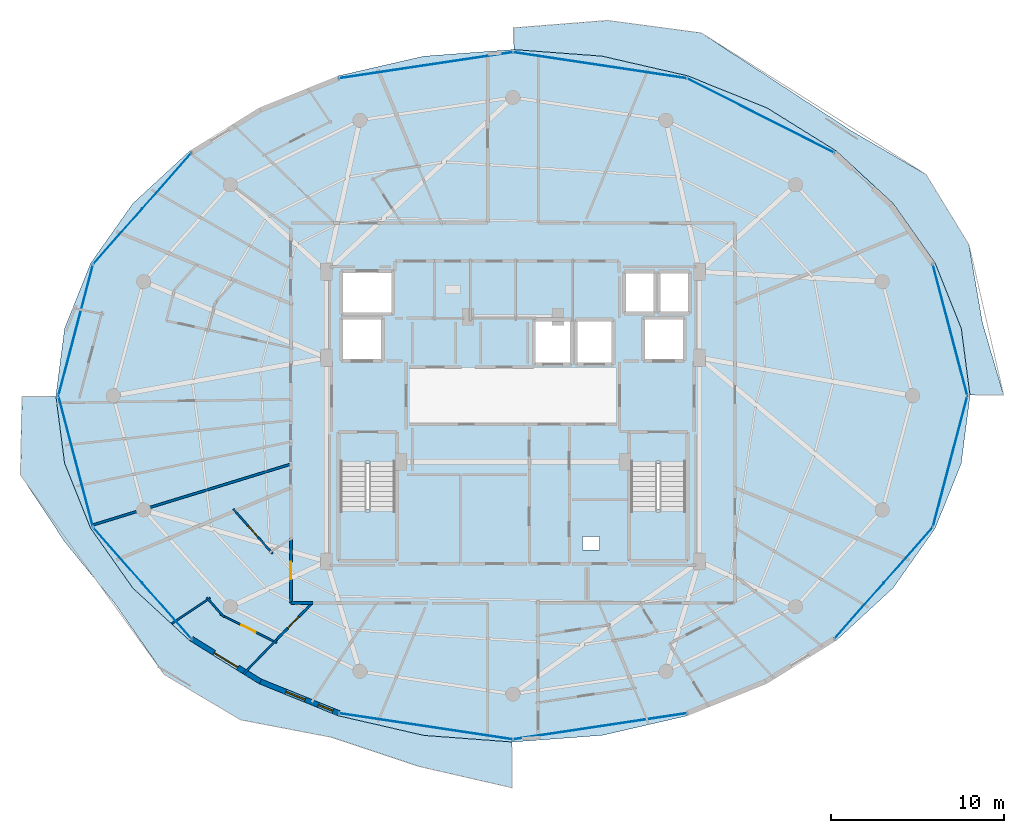
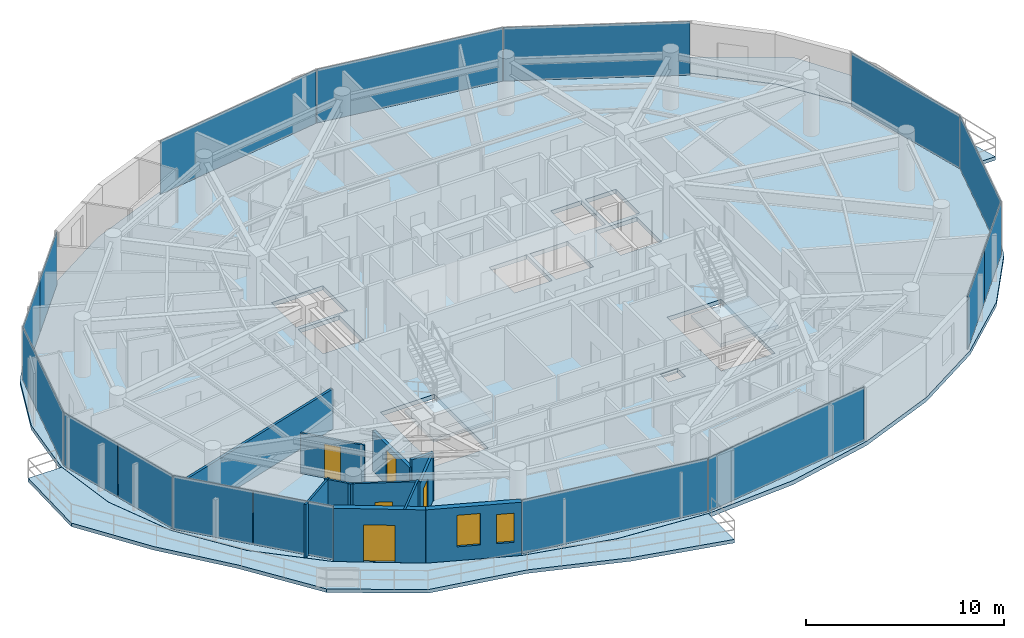
# One storey, part 22 of 31: 16 plates, 11 walls, 5 doors, 5 slabs, 2 windows, 7 openings, 6 elements without a shape of their own.
"""IFC4 building model written with IfcOpenShell, lengths in metres."""

import ifcopenshell
import ifcopenshell.guid

model = None  # the IFC model being written
_history = None  # IfcOwnerHistory: only IFC2X3 demands one
_inside = {}  # id of a spatial element -> (the spatial element, [elements in it])
_under = {}  # id of a project, library or spatial element -> (it, [spatial elements below it])
_declared = {}  # id of a project -> (the project, [libraries it declares])
_typed = {}  # id of a type object -> (the type object, [elements of that type])
_made_of = {}  # id of a material, layer set ... -> (it, [elements and type objects made of it])


def new_model(schema):
    """Start an empty IFC model of exactly this schema.

    Asked for "IFC4X3", IfcOpenShell would pick the latest addendum, in which some entities
    have other attributes; the version numbers below select the first issue.
    IFC2X3 requires an IfcOwnerHistory on every rooted entity: one is made here for all.
    """
    global model, _history
    if schema == "IFC4X3":
        model = ifcopenshell.file(schema_version=(4, 3, 0, 0))
    else:
        model = ifcopenshell.file(schema=schema)
    _inside.clear()
    _under.clear()
    _declared.clear()
    _typed.clear()
    _made_of.clear()
    _history = None
    if model.schema == "IFC2X3":
        org = make("IfcOrganization", Name="unknown")
        user = make(
            "IfcPersonAndOrganization",
            ThePerson=make("IfcPerson", FamilyName="unknown"),
            TheOrganization=org,
        )
        app = make(
            "IfcApplication",
            ApplicationDeveloper=org,
            Version="unknown",
            ApplicationFullName="unknown",
            ApplicationIdentifier="unknown",
        )
        _history = make(
            "IfcOwnerHistory",
            OwningUser=user,
            OwningApplication=app,
            ChangeAction="ADDED",
            CreationDate=0,
        )
    return model


def make(cls, **values):
    """One entity of the class cls with the attributes given. An attribute that is None is left unset."""
    return model.create_entity(
        cls, **{name: value for name, value in values.items() if value is not None}
    )


def rooted(cls, **values):
    """An entity with a GlobalId (a new one), such as an element, a storey or a relation."""
    return make(cls, GlobalId=ifcopenshell.guid.new(), OwnerHistory=_history, **values)


def si_unit(unit_type, name, prefix=None):
    """IfcSIUnit, for example si_unit("LENGTHUNIT", "METRE", prefix="MILLI")."""
    return make("IfcSIUnit", UnitType=unit_type, Prefix=prefix, Name=name)


def assignment(units):
    """IfcUnitAssignment: the units of a project."""
    return None if units is None else make("IfcUnitAssignment", Units=units)


def point(xyz):
    """IfcCartesianPoint."""
    return None if xyz is None else make("IfcCartesianPoint", Coordinates=xyz)


def direction(xyz):
    """IfcDirection."""
    return None if xyz is None else make("IfcDirection", DirectionRatios=xyz)


def frame(location, z_axis=None, x_axis=None):
    """IfcAxis2Placement3D, a coordinate frame: its origin and axes. An axis left out is left unset."""
    return make(
        "IfcAxis2Placement3D",
        Location=point(location),
        Axis=direction(z_axis),
        RefDirection=direction(x_axis),
    )


def frame_2d(location, x_axis=None):
    """IfcAxis2Placement2D, a coordinate frame in the plane: its origin and x axis."""
    return make(
        "IfcAxis2Placement2D", Location=point(location), RefDirection=direction(x_axis)
    )


def origin():
    """The frame at (0, 0, 0) with its axes left unset."""
    return frame((0.0, 0.0, 0.0))


def origin_2d():
    """The frame at (0, 0) in the plane with its x axis left unset."""
    return frame_2d((0.0, 0.0))


def place(relative_to, where):
    """IfcLocalPlacement: puts the frame where relative to a parent placement (None: the world)."""
    return make(
        "IfcLocalPlacement", PlacementRelTo=relative_to, RelativePlacement=where
    )


def context(
    kind, dimensions, precision=None, world=None, true_north=None, identifier=None
):
    """IfcGeometricRepresentationContext, for example the 3D "Model" context."""
    return make(
        "IfcGeometricRepresentationContext",
        ContextIdentifier=identifier,
        ContextType=kind,
        CoordinateSpaceDimension=dimensions,
        Precision=precision,
        WorldCoordinateSystem=world,
        TrueNorth=true_north,
    )


def subcontext(parent, identifier, kind, view, scale=None):
    """IfcGeometricRepresentationSubContext, for example "Body" below "Model"."""
    return make(
        "IfcGeometricRepresentationSubContext",
        ContextIdentifier=identifier,
        ContextType=kind,
        ParentContext=parent,
        TargetScale=scale,
        TargetView=view,
    )


def project(units=None, contexts=None):
    """IfcProject with its units and contexts."""
    return rooted(
        "IfcProject",
        Name="project",
        RepresentationContexts=contexts,
        UnitsInContext=assignment(units),
    )


def spatial(cls, under=None, at=None, **own):
    """A site, building, storey or space (cls), placed at a placement, below another one or the project."""
    s = rooted(cls, ObjectPlacement=at, **own)
    if under is not None:
        _under.setdefault(under.id(), (under, []))[1].append(s)
    return s


def polyline(points):
    """IfcPolyline through the points."""
    return make("IfcPolyline", Points=[point(p) for p in points])


def profile(cls, at=None, kind="AREA", **sizes):
    """A parametric profile (cls). Its sizes go by their IFC names, for example OverallWidth=200.0."""
    return make(cls, ProfileType=kind, Position=at, **sizes)


def rectangle(**sizes):
    """IfcRectangleProfileDef."""
    return profile("IfcRectangleProfileDef", **sizes)


def outline(outer, holes=None, kind="AREA"):
    """IfcArbitraryClosedProfileDef: a profile drawn as a closed curve; with holes, ...WithVoids."""
    if holes is None:
        return make("IfcArbitraryClosedProfileDef", ProfileType=kind, OuterCurve=outer)
    return make(
        "IfcArbitraryProfileDefWithVoids",
        ProfileType=kind,
        OuterCurve=outer,
        InnerCurves=holes,
    )


def extrude(swept, where, along, depth):
    """IfcExtrudedAreaSolid: the profile swept, set in the frame where, extruded along a direction by depth."""
    return make(
        "IfcExtrudedAreaSolid",
        SweptArea=swept,
        Position=where,
        ExtrudedDirection=direction(along),
        Depth=depth,
    )


def shape(context_of_items, identifier, shape_type, items):
    """IfcShapeRepresentation: the items that make up one representation, for example the "Body"."""
    return make(
        "IfcShapeRepresentation",
        ContextOfItems=context_of_items,
        RepresentationIdentifier=identifier,
        RepresentationType=shape_type,
        Items=items,
    )


def material(Name=None, Category=None):
    """IfcMaterial."""
    return make("IfcMaterial", Name=Name, Category=Category)


def layer(
    of_material, thickness, ventilated=None, Name=None, Category=None, Priority=None
):
    """IfcMaterialLayer: one layer of a wall or slab, of a material (None: an air gap)."""
    return make(
        "IfcMaterialLayer",
        Material=of_material,
        LayerThickness=thickness,
        IsVentilated=ventilated,
        Name=Name,
        Category=Category,
        Priority=Priority,
    )


def layer_set(layers, Name=None):
    """IfcMaterialLayerSet."""
    return make("IfcMaterialLayerSet", MaterialLayers=layers, LayerSetName=Name)


def made_of(thing, what):
    """Note that an element or type object is made of a material, layer set ...; save() writes the relation."""
    if what is not None:
        _made_of.setdefault(what.id(), (what, []))[1].append(thing)
    return thing


def type_object(cls, material=None, **own):
    """A type object (cls), such as IfcWallType, which elements share."""
    return made_of(rooted(cls, **own), material)


def element(
    cls,
    number,
    at=None,
    inside=None,
    cuts=None,
    type_object=None,
    material=None,
    context=None,
    identifier="Body",
    shape_type=None,
    held_by="IfcProductDefinitionShape",
    body=None,
    shapes=None,
    **own,
):
    """One element of the class cls, such as IfcWall. Its Tag is "e" and its number.

    at: its placement. inside: the storey or other place that contains it. cuts: it is an
    opening in that element (IfcRelVoidsElement). A single representation is given by context,
    identifier, shape_type and body (its items); several are given by shapes. held_by: the class
    of the entity that holds the representations. save() writes the other relations.
    """
    e = rooted(cls, Tag="e%d" % number, ObjectPlacement=at, **own)
    if body is not None:
        shapes = [shape(context, identifier, shape_type, body)]
    if shapes is not None:
        e.Representation = make(held_by, Representations=shapes)
    if inside is not None:
        _inside.setdefault(inside.id(), (inside, []))[1].append(e)
    if cuts is not None:
        rooted(
            "IfcRelVoidsElement", RelatingBuildingElement=cuts, RelatedOpeningElement=e
        )
    if type_object is not None:
        _typed.setdefault(type_object.id(), (type_object, []))[1].append(e)
    return made_of(e, material)


def fill(opening, filler):
    """IfcRelFillsElement: the door or window that sits in an opening."""
    return rooted(
        "IfcRelFillsElement",
        RelatingOpeningElement=opening,
        RelatedBuildingElement=filler,
    )


def aggregate(whole, parts):
    """IfcRelAggregates: a whole, such as a stair, and the parts it consists of."""
    return rooted("IfcRelAggregates", RelatingObject=whole, RelatedObjects=parts)


def save(model, path):
    """Write the relations noted so far, then the file.

    IfcRelAggregates (storeys below a building ...), IfcRelContainedInSpatialStructure (elements
    in a storey), IfcRelDefinesByType, IfcRelAssociatesMaterial and IfcRelDeclares: one each for
    every whole, place, type object, material and project.
    """
    for whole, parts in _under.values():
        aggregate(whole, parts)
    for where, things in _inside.values():
        rooted(
            "IfcRelContainedInSpatialStructure",
            RelatedElements=things,
            RelatingStructure=where,
        )
    for kind, things in _typed.values():
        rooted("IfcRelDefinesByType", RelatedObjects=things, RelatingType=kind)
    for what, things in _made_of.values():
        rooted("IfcRelAssociatesMaterial", RelatedObjects=things, RelatingMaterial=what)
    for by, libraries in _declared.values():
        rooted("IfcRelDeclares", RelatingContext=by, RelatedDefinitions=libraries)
    model.write(path)


model = new_model("IFC4")

# Units and contexts
model_context = context("Model", 3, precision=1e-05, world=origin(), true_north=direction((0.0, 1.0)))
body_context = subcontext(model_context, "Body", "Model", "MODEL_VIEW")
ifc_project = project(units=[si_unit("LENGTHUNIT", "METRE"), si_unit("AREAUNIT", "SQUARE_METRE"), si_unit("VOLUMEUNIT", "CUBIC_METRE"), si_unit("PLANEANGLEUNIT", "RADIAN"), si_unit("MASSUNIT", "GRAM", prefix="KILO")], contexts=[model_context])

# Site, building, storey
site_placement = place(None, origin())
site = spatial("IfcSite", under=ifc_project, at=site_placement, CompositionType="ELEMENT")
building_placement = place(site_placement, origin())
building = spatial("IfcBuilding", under=site, at=building_placement, Name="Vorneva Point Tower", CompositionType="ELEMENT")
storey_placement = place(building_placement, frame((0.0, 0.0, 244.89990234375)))
storey = spatial("IfcBuildingStorey", under=building, at=storey_placement, Name="L66", CompositionType="ELEMENT", Elevation=244.89990234375)

# Curtain wall, plates
ifc_material_1 = material(Name="Pale anodised aluminium", Category="aluminium")
curtain_wall_type = type_object("IfcCurtainWallType", Name="CW-RES-SYS", PredefinedType="NOTDEFINED", material=ifc_material_1)
curtain_wall_1_placement = place(storey_placement, origin())
curtain_wall_1 = element("IfcCurtainWall", 1, at=curtain_wall_1_placement, inside=storey, type_object=curtain_wall_type, Name="L66 Unitised Curtain Wall CW-L66-R01", PredefinedType="NOTDEFINED")
ifc_material_2 = material(Name="Double low-e laminated glass IGU", Category="glass")
ifc_layer_1 = layer(ifc_material_2, 0.035888671875)
ifc_layer_set_1 = layer_set([ifc_layer_1], Name="Double low-e laminated glass IGU")
plate_type = type_object("IfcPlateType", Name="CW-PNL-VIS", PredefinedType="CURTAIN_PANEL", material=ifc_layer_set_1)
plate_1_placement = place(storey_placement, frame((57.946044921875, 13.598876953125, -0.02001953125), z_axis=(0.0, 0.0, 1.0), x_axis=(0.662188570806, 0.749337238294, 0.0)))
plate_1 = element("IfcPlate", 2, at=plate_1_placement, type_object=plate_type, Name="CW-L66-R01 Glazed Panel 01A", PredefinedType="CURTAIN_PANEL", context=body_context, shape_type="SweptSolid", body=[
    extrude(rectangle(XDim=4.23828125, YDim=0.035888671875, at=origin_2d()), origin(), (0.0, 0.0, 1.0), 3.330078125),
])
plate_2_placement = place(storey_placement, frame((60.785888671875, 16.812255859375, -0.02001953125), z_axis=(0.0, 0.0, 1.0), x_axis=(0.662188570806, 0.749337238294, 0.0)))
plate_2 = element("IfcPlate", 3, at=plate_2_placement, type_object=plate_type, Name="CW-L66-R01 Glazed Panel 01B", PredefinedType="CURTAIN_PANEL", context=body_context, shape_type="SweptSolid", body=[
    extrude(rectangle(XDim=4.23828125, YDim=0.035888671875, at=origin_2d()), origin(), (0.0, 0.0, 1.0), 3.330078125),
])
plate_3_placement = place(storey_placement, frame((63.202880859375, 22.20947265625, -0.02001953125), z_axis=(0.0, 0.0, 1.0), x_axis=(0.254416284022, 0.967094801157, 0.0)))
plate_3 = element("IfcPlate", 4, at=plate_3_placement, type_object=plate_type, Name="CW-L66-R01 Glazed Panel 02", PredefinedType="CURTAIN_PANEL", context=body_context, shape_type="SweptSolid", body=[
    extrude(rectangle(XDim=7.7890625, YDim=0.035888671875, at=origin_2d()), origin(), (0.0, 0.0, 1.0), 3.330078125),
])
plate_4_placement = place(storey_placement, frame((63.202880859375, 29.79052734375, -0.02001953125), z_axis=(0.0, 0.0, 1.0), x_axis=(-0.254416284022, 0.967094801157, 0.0)))
plate_4 = element("IfcPlate", 5, at=plate_4_placement, type_object=plate_type, Name="CW-L66-R01 Glazed Panel 03", PredefinedType="CURTAIN_PANEL", context=body_context, shape_type="SweptSolid", body=[
    extrude(rectangle(XDim=7.7890625, YDim=0.035888671875, at=origin_2d()), origin(), (0.0, 0.0, 1.0), 3.330078125),
])
aggregate(curtain_wall_1, [plate_1, plate_2, plate_3, plate_4])

curtain_wall_2_placement = place(storey_placement, origin())
curtain_wall_2 = element("IfcCurtainWall", 6, at=curtain_wall_2_placement, inside=storey, type_object=curtain_wall_type, Name="L66 Unitised Curtain Wall CW-L66-R02", PredefinedType="NOTDEFINED")
plate_5_placement = place(storey_placement, frame((52.2763671875, 42.15478515625, -0.02001953125), z_axis=(0.0, 0.0, 1.0), x_axis=(-0.892554339087, 0.450939853836, 0.0)))
plate_5 = element("IfcPlate", 7, at=plate_5_placement, type_object=plate_type, Name="CW-L66-R02 Glazed Panel 01", PredefinedType="CURTAIN_PANEL", context=body_context, shape_type="SweptSolid", body=[
    extrude(rectangle(XDim=9.47314453125, YDim=0.035888671875, at=origin_2d()), origin(), (0.0, 0.0, 1.0), 3.330078125),
])
plate_6_placement = place(storey_placement, frame((43.01318359375, 45.055908203125, -0.02001953125), z_axis=(0.0, 0.0, 1.0), x_axis=(-0.988878712919, 0.148724211669, 0.0)))
plate_6 = element("IfcPlate", 8, at=plate_6_placement, type_object=plate_type, Name="CW-L66-R02 Glazed Panel 02", PredefinedType="CURTAIN_PANEL", context=body_context, shape_type="SweptSolid", body=[
    extrude(rectangle(XDim=10.089111328125, YDim=0.035888671875, at=origin_2d()), origin(), (0.0, 0.0, 1.0), 3.330078125),
])
plate_7_placement = place(storey_placement, frame((32.98681640625, 45.055908203125, -0.02001953125), z_axis=(0.0, 0.0, 1.0), x_axis=(-0.988878712919, -0.148724211669, 0.0)))
plate_7 = element("IfcPlate", 9, at=plate_7_placement, type_object=plate_type, Name="CW-L66-R02 Glazed Panel 03", PredefinedType="CURTAIN_PANEL", context=body_context, shape_type="SweptSolid", body=[
    extrude(rectangle(XDim=10.089111328125, YDim=0.035888671875, at=origin_2d()), origin(), (0.0, 0.0, 1.0), 3.330078125),
])
aggregate(curtain_wall_2, [plate_5, plate_6, plate_7])

curtain_wall_3_placement = place(storey_placement, origin())
curtain_wall_3 = element("IfcCurtainWall", 10, at=curtain_wall_3_placement, inside=storey, type_object=curtain_wall_type, Name="L66 Unitised Curtain Wall CW-L66-R03", PredefinedType="NOTDEFINED")
plate_8_placement = place(storey_placement, frame((18.053955078125, 38.401123046875, -0.02001953125), z_axis=(0.0, 0.0, 1.0), x_axis=(-0.662188570806, -0.749337238294, 0.0)))
plate_8 = element("IfcPlate", 11, at=plate_8_placement, type_object=plate_type, Name="CW-L66-R03 Glazed Panel 01A", PredefinedType="CURTAIN_PANEL", context=body_context, shape_type="SweptSolid", body=[
    extrude(rectangle(XDim=4.23828125, YDim=0.035888671875, at=origin_2d()), origin(), (0.0, 0.0, 1.0), 3.330078125),
])
plate_9_placement = place(storey_placement, frame((15.214111328125, 35.187744140625, -0.02001953125), z_axis=(0.0, 0.0, 1.0), x_axis=(-0.662188570806, -0.749337238294, 0.0)))
plate_9 = element("IfcPlate", 12, at=plate_9_placement, type_object=plate_type, Name="CW-L66-R03 Glazed Panel 01B", PredefinedType="CURTAIN_PANEL", context=body_context, shape_type="SweptSolid", body=[
    extrude(rectangle(XDim=4.23828125, YDim=0.035888671875, at=origin_2d()), origin(), (0.0, 0.0, 1.0), 3.330078125),
])
plate_10_placement = place(storey_placement, frame((12.797119140625, 29.79052734375, -0.02001953125), z_axis=(0.0, 0.0, 1.0), x_axis=(-0.254416284022, -0.967094801157, 0.0)))
plate_10 = element("IfcPlate", 13, at=plate_10_placement, type_object=plate_type, Name="CW-L66-R03 Glazed Panel 02", PredefinedType="CURTAIN_PANEL", context=body_context, shape_type="SweptSolid", body=[
    extrude(rectangle(XDim=7.7890625, YDim=0.035888671875, at=origin_2d()), origin(), (0.0, 0.0, 1.0), 3.330078125),
])
plate_11_placement = place(storey_placement, frame((12.298583984375, 24.104736328125, -0.02001953125), z_axis=(0.0, 0.0, 1.0), x_axis=(0.254416284022, -0.967094801157, 0.0)))
plate_11 = element("IfcPlate", 14, at=plate_11_placement, type_object=plate_type, Name="CW-L66-R03 Glazed Panel 03A", PredefinedType="CURTAIN_PANEL", context=body_context, shape_type="SweptSolid", body=[
    extrude(rectangle(XDim=3.869384765625, YDim=0.035888671875, at=origin_2d()), origin(), (0.0, 0.0, 1.0), 3.330078125),
])
plate_12_placement = place(storey_placement, frame((13.2958984375, 20.314208984375, -0.02001953125), z_axis=(0.0, 0.0, 1.0), x_axis=(0.254416284022, -0.967094801157, 0.0)))
plate_12 = element("IfcPlate", 15, at=plate_12_placement, type_object=plate_type, Name="CW-L66-R03 Glazed Panel 03B", PredefinedType="CURTAIN_PANEL", context=body_context, shape_type="SweptSolid", body=[
    extrude(rectangle(XDim=3.869384765625, YDim=0.035888671875, at=origin_2d()), origin(), (0.0, 0.0, 1.0), 3.330078125),
])
plate_13_placement = place(storey_placement, frame((15.214111328125, 16.812255859375, -0.02001953125), z_axis=(0.0, 0.0, 1.0), x_axis=(0.662188570806, -0.749337238294, 0.0)))
plate_13 = element("IfcPlate", 16, at=plate_13_placement, type_object=plate_type, Name="CW-L66-R03 Glazed Panel 04A", PredefinedType="CURTAIN_PANEL", context=body_context, shape_type="SweptSolid", body=[
    extrude(rectangle(XDim=4.23828125, YDim=0.035888671875, at=origin_2d()), origin(), (0.0, 0.0, 1.0), 3.330078125),
])
plate_14_placement = place(storey_placement, frame((18.053955078125, 13.598876953125, -0.02001953125), z_axis=(0.0, 0.0, 1.0), x_axis=(0.662188570806, -0.749337238294, 0.0)))
plate_14 = element("IfcPlate", 17, at=plate_14_placement, type_object=plate_type, Name="CW-L66-R03 Glazed Panel 04B", PredefinedType="CURTAIN_PANEL", context=body_context, shape_type="SweptSolid", body=[
    extrude(rectangle(XDim=4.23828125, YDim=0.035888671875, at=origin_2d()), origin(), (0.0, 0.0, 1.0), 3.330078125),
])
aggregate(curtain_wall_3, [plate_8, plate_9, plate_10, plate_11, plate_12, plate_13, plate_14])

curtain_wall_4_placement = place(storey_placement, origin())
curtain_wall_4 = element("IfcCurtainWall", 18, at=curtain_wall_4_placement, inside=storey, type_object=curtain_wall_type, Name="L66 Unitised Curtain Wall CW-L66-R04", PredefinedType="NOTDEFINED")
plate_15_placement = place(storey_placement, frame((32.98681640625, 6.944091796875, -0.02001953125), z_axis=(0.0, 0.0, 1.0), x_axis=(0.988878712919, -0.148724211669, 0.0)))
plate_15 = element("IfcPlate", 19, at=plate_15_placement, type_object=plate_type, Name="CW-L66-R04 Glazed Panel 01", PredefinedType="CURTAIN_PANEL", context=body_context, shape_type="SweptSolid", body=[
    extrude(rectangle(XDim=10.089111328125, YDim=0.035888671875, at=origin_2d()), origin(), (0.0, 0.0, 1.0), 3.330078125),
])
plate_16_placement = place(storey_placement, frame((43.01318359375, 6.944091796875, -0.02001953125), z_axis=(0.0, 0.0, 1.0), x_axis=(0.988878712919, 0.148724211669, 0.0)))
plate_16 = element("IfcPlate", 20, at=plate_16_placement, type_object=plate_type, Name="CW-L66-R04 Glazed Panel 02", PredefinedType="CURTAIN_PANEL", context=body_context, shape_type="SweptSolid", body=[
    extrude(rectangle(XDim=10.089111328125, YDim=0.035888671875, at=origin_2d()), origin(), (0.0, 0.0, 1.0), 3.330078125),
])
aggregate(curtain_wall_4, [plate_15, plate_16])

# Slabs
ifc_material_3 = material(Name="Concrete B50 (C40/50)", Category="concrete")
ifc_layer_2 = layer(ifc_material_3, 0.219970703125)
ifc_layer_set_2 = layer_set([ifc_layer_2], Name="Concrete B50 (C40/50)")
slab_type_1 = type_object("IfcSlabType", Name="SLB-BAL-220", PredefinedType="FLOOR", material=ifc_layer_set_2)
slab_1_placement = place(storey_placement, frame((0.0, 0.0, -0.219970703125)))
element("IfcSlab", 21, at=slab_1_placement, inside=storey, type_object=slab_type_1, Name="L66 Cantilevered Wave Balcony NE", PredefinedType="FLOOR", context=body_context, shape_type="SweptSolid", body=[
    extrude(outline(polyline([(38.050048828125, 47.2138671875), (38.050048828125, 45.960205078125), (43.140869140625, 45.58056640625), (43.14111328125, 45.58056640625), (43.1416015625, 45.580322265625), (48.084716796875, 44.444580078125), (48.0849609375, 44.4443359375), (48.085205078125, 44.4443359375), (52.640869140625, 42.599853515625), (52.64111328125, 42.599609375), (52.641357421875, 42.599609375), (56.634521484375, 40.1171875), (56.634765625, 40.1171875), (56.635009765625, 40.11669921875), (59.911865234375, 37.092041015625), (59.912109375, 37.091796875), (59.91259765625, 37.091552734375), (62.347412109375, 33.640625), (62.34765625, 33.640380859375), (62.347900390625, 33.639892578125), (63.847412109375, 29.8955078125), (63.847412109375, 29.895263671875), (63.84765625, 29.894775390625), (63.84765625, 29.89453125), (64.347412109375, 26.050048828125), (66.285400390625, 26.050048828125), (65.065673828125, 30.21484375), (64.290283203125, 34.702392578125), (61.80810546875, 38.76416015625), (57.5107421875, 41.273681640625), (53.34423828125, 43.989013671875), (48.861083984375, 46.918212890625), (43.451416015625, 47.6396484375), (38.050048828125, 47.2138671875)])), origin(), (0.0, 0.0, 1.0), 0.219970703125),
])
slab_2_placement = place(storey_placement, frame((0.0, 0.0, -0.219970703125)))
element("IfcSlab", 22, at=slab_2_placement, inside=storey, type_object=slab_type_1, Name="L66 Cantilevered Wave Balcony SW", PredefinedType="FLOOR", context=body_context, shape_type="SweptSolid", body=[
    extrude(outline(polyline([(37.949951171875, 3.401611328125), (37.949951171875, 6.039794921875), (32.859130859375, 6.41943359375), (32.85888671875, 6.41943359375), (32.8583984375, 6.419677734375), (27.915283203125, 7.555419921875), (27.9150390625, 7.5556640625), (27.914794921875, 7.5556640625), (23.359130859375, 9.400146484375), (23.35888671875, 9.400390625), (23.358642578125, 9.400390625), (19.365478515625, 11.8828125), (19.365234375, 11.8828125), (19.364990234375, 11.88330078125), (16.088134765625, 14.907958984375), (16.087890625, 14.908203125), (16.08740234375, 14.908447265625), (13.652587890625, 18.359375), (13.65234375, 18.359619140625), (13.652099609375, 18.360107421875), (12.152587890625, 22.1044921875), (12.152587890625, 22.104736328125), (12.15234375, 22.105224609375), (12.15234375, 22.10546875), (11.652587890625, 25.949951171875), (9.698974609375, 25.949951171875), (9.606201171875, 21.436279296875), (12.179931640625, 17.5546875), (15.06494140625, 14.005859375), (17.891357421875, 9.937255859375), (22.304443359375, 7.31689453125), (27.526123046875, 6.31591796875), (32.589111328125, 4.63037109375), (37.949951171875, 3.401611328125)])), origin(), (0.0, 0.0, 1.0), 0.219970703125),
])

# Stair, slab
stair_type = type_object("IfcStairType", Name="ST-DOG-1500", PredefinedType="HALF_TURN_STAIR", material=ifc_material_3)
stair_1_placement = place(storey_placement, origin())
stair_1 = element("IfcStair", 23, at=stair_1_placement, inside=storey, type_object=stair_type, Name="L66 ST1", PredefinedType="HALF_TURN_STAIR")
ifc_layer_3 = layer(ifc_material_3, 0.199951171875)
ifc_layer_set_3 = layer_set([ifc_layer_3], Name="Concrete B50 (C40/50)")
slab_type_2 = type_object("IfcSlabType", Name="SLB-LND-200", PredefinedType="LANDING", material=ifc_layer_set_3)
slab_3_placement = place(storey_placement, frame((0.0, 0.0, 1.5751953125)))
slab_3 = element("IfcSlab", 24, at=slab_3_placement, type_object=slab_type_2, Name="ST1 landing 1", PredefinedType="LANDING", context=body_context, shape_type="SweptSolid", body=[
    extrude(outline(polyline([(27.929931640625, 16.47998046875), (31.320068359375, 16.47998046875), (31.320068359375, 19.43994140625), (27.929931640625, 19.43994140625), (27.929931640625, 16.47998046875)])), origin(), (0.0, 0.0, 1.0), 0.199951171875),
])
aggregate(stair_1, [slab_3])

stair_2_placement = place(storey_placement, origin())
stair_2 = element("IfcStair", 25, at=stair_2_placement, inside=storey, type_object=stair_type, Name="L66 ST2", PredefinedType="HALF_TURN_STAIR")
slab_4_placement = place(storey_placement, frame((0.0, 0.0, 1.5751953125)))
slab_4 = element("IfcSlab", 26, at=slab_4_placement, type_object=slab_type_2, Name="ST2 landing 1", PredefinedType="LANDING", context=body_context, shape_type="SweptSolid", body=[
    extrude(outline(polyline([(44.679931640625, 16.47998046875), (48.070068359375, 16.47998046875), (48.070068359375, 19.43994140625), (44.679931640625, 19.43994140625), (44.679931640625, 16.47998046875)])), origin(), (0.0, 0.0, 1.0), 0.199951171875),
])
aggregate(stair_2, [slab_4])

# Slab
ifc_layer_4 = layer(ifc_material_3, 0.260009765625)
ifc_layer_set_4 = layer_set([ifc_layer_4], Name="Concrete B50 (C40/50)")
slab_type_3 = type_object("IfcSlabType", Name="SLB-TYP-260", PredefinedType="FLOOR", material=ifc_layer_set_4)
slab_5_placement = place(storey_placement, frame((0.0, 0.0, -0.260009765625)))
element("IfcSlab", 27, at=slab_5_placement, inside=storey, type_object=slab_type_3, Name="L66 Structural Floor Plate", PredefinedType="FLOOR", context=body_context, shape_type="SweptSolid", body=[
    extrude(outline(polyline([(64.35009765625, 26.0), (63.84375, 29.89404296875), (62.34423828125, 33.638427734375), (59.9091796875, 37.089111328125), (56.63232421875, 40.114013671875), (52.639404296875, 42.59619140625), (48.083740234375, 44.440673828125), (43.140625, 45.576416015625), (38.0, 45.9599609375), (32.859375, 45.576416015625), (27.916259765625, 44.440673828125), (23.360595703125, 42.59619140625), (19.36767578125, 40.114013671875), (16.0908203125, 37.089111328125), (13.65576171875, 33.638427734375), (12.15625, 29.89404296875), (11.64990234375, 26.0), (12.15625, 22.10595703125), (13.65576171875, 18.361572265625), (16.0908203125, 14.910888671875), (19.36767578125, 11.885986328125), (23.360595703125, 9.40380859375), (27.916259765625, 7.559326171875), (32.859375, 6.423583984375), (38.0, 6.0400390625), (43.140625, 6.423583984375), (48.083740234375, 7.559326171875), (52.639404296875, 9.40380859375), (56.63232421875, 11.885986328125), (59.9091796875, 14.910888671875), (62.34423828125, 18.361572265625), (63.84375, 22.10595703125), (64.35009765625, 26.0)]), holes=[polyline([(39.199951171875, 27.800048828125), (41.39990234375, 27.800048828125), (41.39990234375, 30.39990234375), (39.199951171875, 30.39990234375), (39.199951171875, 27.800048828125)]), polyline([(41.60009765625, 27.800048828125), (43.800048828125, 27.800048828125), (43.800048828125, 30.39990234375), (41.60009765625, 30.39990234375), (41.60009765625, 27.800048828125)]), polyline([(44.39990234375, 30.739990234375), (46.199951171875, 30.739990234375), (46.199951171875, 33.159912109375), (44.39990234375, 33.159912109375), (44.39990234375, 30.739990234375)]), polyline([(46.39990234375, 30.739990234375), (48.199951171875, 30.739990234375), (48.199951171875, 33.159912109375), (46.39990234375, 33.159912109375), (46.39990234375, 30.739990234375)]), polyline([(28.10009765625, 28.0), (30.5, 28.0), (30.5, 30.5), (28.10009765625, 30.5), (28.10009765625, 28.0)]), polyline([(45.5, 28.0), (47.89990234375, 28.0), (47.89990234375, 30.5), (45.5, 30.5), (45.5, 28.0)]), polyline([(28.10009765625, 30.699951171875), (31.10009765625, 30.699951171875), (31.10009765625, 33.199951171875), (28.10009765625, 33.199951171875), (28.10009765625, 30.699951171875)]), polyline([(28.050048828125, 16.60009765625), (31.199951171875, 16.60009765625), (31.199951171875, 22.080078125), (28.050048828125, 22.080078125), (28.050048828125, 16.60009765625)]), polyline([(44.800048828125, 16.60009765625), (47.949951171875, 16.60009765625), (47.949951171875, 22.080078125), (44.800048828125, 22.080078125), (44.800048828125, 16.60009765625)]), polyline([(42.0, 17.10009765625), (43.0, 17.10009765625), (43.0, 17.89990234375), (42.0, 17.89990234375), (42.0, 17.10009765625)])]), origin(), (0.0, 0.0, 1.0), 0.260009765625),
])

# Wall, opening, door
ifc_material_4 = material(Name="Precast concrete B50 (C40/50)", Category="concrete")
ifc_layer_5 = layer(ifc_material_4, 0.300048828125)
ifc_layer_set_5 = layer_set([ifc_layer_5], Name="Precast concrete B50 (C40/50)")
wall_type_1 = type_object("IfcWallType", Name="WL-EXT-300", PredefinedType="STANDARD", material=ifc_layer_set_5)
wall_1_placement = place(storey_placement, frame((19.473876953125, 11.9921875, 0.0), z_axis=(0.0, 0.0, 1.0), x_axis=(0.849702323036, -0.527262707032, 0.0)))
wall_1 = element("IfcWall", 28, at=wall_1_placement, inside=storey, type_object=wall_type_1, Name="L66 Pale-Metal Facade Spandrel Wall 11.1", PredefinedType="STANDARD", context=body_context, shape_type="SweptSolid", body=[
    extrude(rectangle(XDim=4.67236328125, YDim=0.300048828125, at=frame_2d((2.336181640625, 0.0))), origin(), (0.0, 0.0, 1.0), 3.2900390625),
])
opening_1_placement = place(wall_1_placement, frame((1.536376953125, 0.0, 0.0)))
opening_1 = element("IfcOpeningElement", 29, at=opening_1_placement, cuts=wall_1, Name="Opening BD-01", PredefinedType="OPENING", context=body_context, shape_type="SweptSolid", body=[
    extrude(rectangle(XDim=1.60009765625, YDim=2.300048828125, at=frame_2d((0.800048828125, 1.14990234375))), frame((0.0, 0.1650390625, 0.0), z_axis=(0.0, -1.0, 0.0), x_axis=(1.0, 0.0, 0.0)), (0.0, 0.0, 1.0), 0.329833984375),
])
door_type_1 = type_object("IfcDoorType", Name="DR-BAL-1600", OperationType="SLIDING_TO_LEFT", PredefinedType="DOOR", material=ifc_material_1)
door_1_placement = place(opening_1_placement, origin())
door_1 = element("IfcDoor", 30, at=door_1_placement, inside=storey, type_object=door_type_1, Name="L66 Balcony Terrace Access Door 11", OperationType="SLIDING_TO_LEFT", OverallHeight=2.300048828125, OverallWidth=1.60009765625, PredefinedType="DOOR", context=body_context, shape_type="SweptSolid", body=[
    extrude(rectangle(XDim=1.60009765625, YDim=2.300048828125, at=frame_2d((0.800048828125, 1.14990234375))), frame((0.0, 0.02490234375, 0.0), z_axis=(0.0, -1.0, 0.0), x_axis=(1.0, 0.0, 0.0)), (0.0, 0.0, 1.0), 0.050048828125),
])
fill(opening_1, door_1)

# Wall, openings, windows
wall_2_placement = place(storey_placement, frame((23.444091796875, 9.528564453125, 0.0), z_axis=(0.0, 0.0, 1.0), x_axis=(0.927147375511, -0.374696869594, 0.0)))
wall_2 = element("IfcWall", 31, at=wall_2_placement, inside=storey, type_object=wall_type_1, Name="L66 Pale-Metal Facade Spandrel Wall 11.2", PredefinedType="STANDARD", context=body_context, shape_type="SweptSolid", body=[
    extrude(rectangle(XDim=4.885498046875, YDim=0.300048828125, at=frame_2d((2.44287109375, 0.0))), origin(), (0.0, 0.0, 1.0), 3.2900390625),
])
opening_2_placement = place(wall_2_placement, frame((1.573974609375, 0.0, 0.85009765625)))
opening_2 = element("IfcOpeningElement", 32, at=opening_2_placement, cuts=wall_2, Name="Opening W-04", PredefinedType="OPENING", context=body_context, shape_type="SweptSolid", body=[
    extrude(rectangle(XDim=1.199951171875, YDim=1.949951171875, at=frame_2d((0.60009765625, 0.97509765625))), frame((0.0, 0.1650390625, 0.0), z_axis=(0.0, -1.0, 0.0), x_axis=(1.0, 0.0, 0.0)), (0.0, 0.0, 1.0), 0.329833984375),
])
opening_3_placement = place(wall_2_placement, frame((3.6064453125, 0.0, 0.85009765625)))
opening_3 = element("IfcOpeningElement", 33, at=opening_3_placement, cuts=wall_2, Name="Opening W-08", PredefinedType="OPENING", context=body_context, shape_type="SweptSolid", body=[
    extrude(rectangle(XDim=0.89990234375, YDim=1.800048828125, at=frame_2d((0.449951171875, 0.89990234375))), frame((0.0, 0.1650390625, 0.0), z_axis=(0.0, -1.0, 0.0), x_axis=(1.0, 0.0, 0.0)), (0.0, 0.0, 1.0), 0.329833984375),
])
window_type_1 = type_object("IfcWindowType", Name="WN-CAS-900", PartitioningType="SINGLE_PANEL", PredefinedType="WINDOW", material=ifc_material_2)
window_1_placement = place(opening_3_placement, origin())
window_1 = element("IfcWindow", 34, at=window_1_placement, inside=storey, type_object=window_type_1, Name="L66 Dwelling Vision Window 03", OverallHeight=1.800048828125, OverallWidth=0.89990234375, PartitioningType="SINGLE_PANEL", PredefinedType="WINDOW", context=body_context, shape_type="SweptSolid", body=[
    extrude(rectangle(XDim=0.89990234375, YDim=1.800048828125, at=frame_2d((0.449951171875, 0.89990234375))), frame((0.0, 0.030029296875, 0.0), z_axis=(0.0, -1.0, 0.0), x_axis=(1.0, 0.0, 0.0)), (0.0, 0.0, 1.0), 0.06005859375),
])
fill(opening_3, window_1)
window_type_2 = type_object("IfcWindowType", Name="WN-RES-1200", PartitioningType="SINGLE_PANEL", PredefinedType="WINDOW", material=ifc_material_2)
window_2_placement = place(opening_2_placement, origin())
window_2 = element("IfcWindow", 35, at=window_2_placement, inside=storey, type_object=window_type_2, Name="L66 Dwelling Vision Window 02", OverallHeight=1.949951171875, OverallWidth=1.199951171875, PartitioningType="SINGLE_PANEL", PredefinedType="WINDOW", context=body_context, shape_type="SweptSolid", body=[
    extrude(rectangle(XDim=1.199951171875, YDim=1.949951171875, at=frame_2d((0.60009765625, 0.97509765625))), frame((0.0, 0.030029296875, 0.0), z_axis=(0.0, -1.0, 0.0), x_axis=(1.0, 0.0, 0.0)), (0.0, 0.0, 1.0), 0.06005859375),
])
fill(opening_2, window_2)

# Wall, opening, door
ifc_material_5 = material(Name="Fire-rated acoustic gypsum stud partition", Category="gypsum")
ifc_layer_6 = layer(ifc_material_5, 0.110107421875)
ifc_layer_set_6 = layer_set([ifc_layer_6], Name="Fire-rated acoustic gypsum stud partition")
wall_type_2 = type_object("IfcWallType", Name="WL-PART-110", PredefinedType="PARTITIONING", material=ifc_layer_set_6)
wall_3_placement = place(storey_placement, frame((24.1416015625, 16.906005859375, 0.0), z_axis=(0.0, 0.0, 1.0), x_axis=(-0.662044708061, 0.749464345068, 0.0)))
wall_3 = element("IfcWall", 36, at=wall_3_placement, inside=storey, type_object=wall_type_2, Name="L66 Interior Partition 102", PredefinedType="PARTITIONING", context=body_context, shape_type="SweptSolid", body=[
    extrude(rectangle(XDim=3.41552734375, YDim=0.110107421875, at=frame_2d((1.707763671875, 0.0))), origin(), (0.0, 0.0, 1.0), 2.482177734375),
])
opening_4_placement = place(wall_3_placement, frame((1.28271484375, 0.0, 0.0)))
opening_4 = element("IfcOpeningElement", 37, at=opening_4_placement, cuts=wall_3, Name="Opening ID-02", PredefinedType="OPENING", context=body_context, shape_type="SweptSolid", body=[
    extrude(rectangle(XDim=0.85009765625, YDim=2.10009765625, at=frame_2d((0.425048828125, 1.050048828125))), frame((0.0, 0.06982421875, 0.0), z_axis=(0.0, -1.0, 0.0), x_axis=(1.0, 0.0, 0.0)), (0.0, 0.0, 1.0), 0.139892578125),
])
ifc_material_6 = material(Name="Engineered oak fire-rated door leaf", Category="wood")
door_type_2 = type_object("IfcDoorType", Name="DR-BATH-850", OperationType="NOTDEFINED", PredefinedType="DOOR", material=ifc_material_6)
door_2_placement = place(opening_4_placement, origin())
door_2 = element("IfcDoor", 38, at=door_2_placement, inside=storey, type_object=door_type_2, Name="L66 Door Living and Dining Room L66-03 / Bathroom L66-03", OperationType="SINGLE_SWING_RIGHT", OverallHeight=2.10009765625, OverallWidth=0.85009765625, PredefinedType="DOOR", context=body_context, shape_type="SweptSolid", body=[
    extrude(rectangle(XDim=0.85009765625, YDim=2.10009765625, at=frame_2d((0.425048828125, 1.050048828125))), frame((0.0, 0.02490234375, 0.0), z_axis=(0.0, -1.0, 0.0), x_axis=(1.0, 0.0, 0.0)), (0.0, 0.0, 1.0), 0.050048828125),
])
fill(opening_4, door_2)

# Wall
wall_4_placement = place(storey_placement, frame((20.33935546875, 14.373779296875, 0.0), z_axis=(0.0, 0.0, 1.0), x_axis=(0.662352602393, -0.749192251764, 0.0)))
element("IfcWall", 39, at=wall_4_placement, inside=storey, type_object=wall_type_2, Name="L66 Interior Partition 103", PredefinedType="PARTITIONING", context=body_context, shape_type="SweptSolid", body=[
    extrude(rectangle(XDim=1.523681640625, YDim=0.110107421875, at=frame_2d((0.76171875, 0.0))), origin(), (0.0, 0.0, 1.0), 3.2900390625),
])

# Wall, opening, door
wall_5_placement = place(storey_placement, frame((21.131103515625, 13.400146484375, 0.0), z_axis=(0.0, 0.0, 1.0), x_axis=(0.892570631547, -0.450907604394, 0.0)))
wall_5 = element("IfcWall", 40, at=wall_5_placement, inside=storey, type_object=wall_type_2, Name="L66 Interior Partition 104", PredefinedType="PARTITIONING", context=body_context, shape_type="SweptSolid", body=[
    extrude(rectangle(XDim=3.64453125, YDim=0.110107421875, at=frame_2d((1.822265625, 0.0))), origin(), (0.0, 0.0, 1.0), 3.2900390625),
])
opening_5_placement = place(wall_5_placement, frame((1.372314453125, 0.0, 0.0)))
opening_5 = element("IfcOpeningElement", 41, at=opening_5_placement, cuts=wall_5, Name="Opening ID-01", PredefinedType="OPENING", context=body_context, shape_type="SweptSolid", body=[
    extrude(rectangle(XDim=0.89990234375, YDim=2.10009765625, at=frame_2d((0.449951171875, 1.050048828125))), frame((0.0, 0.06982421875, 0.0), z_axis=(0.0, -1.0, 0.0), x_axis=(1.0, 0.0, 0.0)), (0.0, 0.0, 1.0), 0.139892578125),
])
door_type_3 = type_object("IfcDoorType", Name="DR-ROOM-900", OperationType="NOTDEFINED", PredefinedType="DOOR", material=ifc_material_6)
door_3_placement = place(opening_5_placement, origin())
door_3 = element("IfcDoor", 42, at=door_3_placement, inside=storey, type_object=door_type_3, Name="L66 Door Living and Dining Room L66-03 / Kitchen L66-03", OperationType="SINGLE_SWING_RIGHT", OverallHeight=2.10009765625, OverallWidth=0.89990234375, PredefinedType="DOOR", context=body_context, shape_type="SweptSolid", body=[
    extrude(rectangle(XDim=0.89990234375, YDim=2.10009765625, at=frame_2d((0.449951171875, 1.050048828125))), frame((0.0, 0.02490234375, 0.0), z_axis=(0.0, -1.0, 0.0), x_axis=(1.0, 0.0, 0.0)), (0.0, 0.0, 1.0), 0.050048828125),
])
fill(opening_5, door_3)

# Walls
wall_6_placement = place(storey_placement, frame((18.32763671875, 12.8642578125, 0.0), z_axis=(0.0, 0.0, 1.0), x_axis=(0.831712526046, 0.555206514748, 0.0)))
element("IfcWall", 43, at=wall_6_placement, inside=storey, type_object=wall_type_2, Name="L66 Interior Partition 105", PredefinedType="PARTITIONING", context=body_context, shape_type="SweptSolid", body=[
    extrude(rectangle(XDim=2.669921875, YDim=0.110107421875, at=frame_2d((1.3349609375, 0.0))), origin(), (0.0, 0.0, 1.0), 3.2900390625),
])
wall_7_placement = place(storey_placement, frame((22.469482421875, 9.973388671875, 0.0), z_axis=(0.0, 0.0, 1.0), x_axis=(0.695944713466, 0.718095366786, 0.0)))
element("IfcWall", 44, at=wall_7_placement, inside=storey, type_object=wall_type_2, Name="L66 Interior Partition 107", PredefinedType="PARTITIONING", context=body_context, shape_type="SweptSolid", body=[
    extrude(rectangle(XDim=2.71142578125, YDim=0.110107421875, at=frame_2d((1.355712890625, 0.0))), origin(), (0.0, 0.0, 1.0), 3.2900390625),
])
ifc_layer_7 = layer(ifc_material_5, 0.139892578125)
ifc_layer_set_7 = layer_set([ifc_layer_7], Name="Fire-rated acoustic gypsum stud partition")
wall_type_3 = type_object("IfcWallType", Name="WL-PART-140", PredefinedType="PARTITIONING", material=ifc_layer_set_7)
wall_8_placement = place(storey_placement, frame((13.7470703125, 18.5390625, 0.0), z_axis=(0.0, 0.0, 1.0), x_axis=(0.955802794564, 0.294008533725, 0.0)))
element("IfcWall", 45, at=wall_8_placement, inside=storey, type_object=wall_type_3, Name="L66 Interior Partition 099", PredefinedType="PARTITIONING", context=body_context, shape_type="SweptSolid", body=[
    extrude(rectangle(XDim=11.982421875, YDim=0.139892578125, at=frame_2d((5.9912109375, 0.0))), origin(), (0.0, 0.0, 1.0), 2.482177734375),
])

# Wall, opening, door
wall_9_placement = place(storey_placement, frame((24.259033203125, 11.820068359375, 0.0), z_axis=(0.0, 0.0, 1.0), x_axis=(0.695894072482, 0.718144442215, 0.0)))
wall_9 = element("IfcWall", 46, at=wall_9_placement, inside=storey, type_object=wall_type_3, Name="L66 Interior Partition 106", PredefinedType="PARTITIONING", context=body_context, shape_type="SweptSolid", body=[
    extrude(rectangle(XDim=3.105224609375, YDim=0.139892578125, at=frame_2d((1.552734375, 0.0))), origin(), (0.0, 0.0, 1.0), 2.8740234375),
])
opening_6_placement = place(wall_9_placement, frame((1.1025390625, 0.0, 0.0)))
opening_6 = element("IfcOpeningElement", 47, at=opening_6_placement, cuts=wall_9, Name="Opening ID-01", PredefinedType="OPENING", context=body_context, shape_type="SweptSolid", body=[
    extrude(rectangle(XDim=0.89990234375, YDim=2.10009765625, at=frame_2d((0.449951171875, 1.050048828125))), frame((0.0, 0.0849609375, 0.0), z_axis=(0.0, -1.0, 0.0), x_axis=(1.0, 0.0, 0.0)), (0.0, 0.0, 1.0), 0.169677734375),
])
door_4_placement = place(opening_6_placement, origin())
door_4 = element("IfcDoor", 48, at=door_4_placement, inside=storey, type_object=door_type_3, Name="L66 Door Living and Dining Room L66-03 / Master Bedroom L66-03.1", OperationType="SINGLE_SWING_RIGHT", OverallHeight=2.10009765625, OverallWidth=0.89990234375, PredefinedType="DOOR", context=body_context, shape_type="SweptSolid", body=[
    extrude(rectangle(XDim=0.89990234375, YDim=2.10009765625, at=frame_2d((0.449951171875, 1.050048828125))), frame((0.0, 0.02490234375, 0.0), z_axis=(0.0, -1.0, 0.0), x_axis=(1.0, 0.0, 0.0)), (0.0, 0.0, 1.0), 0.050048828125),
])
fill(opening_6, door_4)

ifc_material_7 = material(Name="Autoclaved aerated concrete blockwork", Category="masonry")
ifc_layer_8 = layer(ifc_material_7, 0.179931640625)
ifc_layer_set_8 = layer_set([ifc_layer_8], Name="Autoclaved aerated concrete blockwork")
wall_type_4 = type_object("IfcWallType", Name="WL-PART-180", PredefinedType="PARTITIONING", material=ifc_layer_set_8)
wall_10_placement = place(storey_placement, frame((25.199951171875, 17.81201171875, 0.0), z_axis=(0.0, 0.0, 1.0), x_axis=(0.0, -1.0, 0.0)))
wall_10 = element("IfcWall", 49, at=wall_10_placement, inside=storey, type_object=wall_type_4, Name="L66 Interior Partition 049", PredefinedType="PARTITIONING", context=body_context, shape_type="SweptSolid", body=[
    extrude(rectangle(XDim=3.761962890625, YDim=0.179931640625, at=frame_2d((1.880859375, 0.0))), origin(), (0.0, 0.0, 1.0), 2.482177734375),
])
opening_7_placement = place(wall_10_placement, frame((1.381103515625, 0.0, 0.0)))
opening_7 = element("IfcOpeningElement", 50, at=opening_7_placement, cuts=wall_10, Name="Opening UD-01", PredefinedType="OPENING", context=body_context, shape_type="SweptSolid", body=[
    extrude(rectangle(XDim=1.0, YDim=2.14990234375, at=frame_2d((0.5, 1.074951171875))), frame((0.0, 0.10498046875, 0.0), z_axis=(0.0, -1.0, 0.0), x_axis=(1.0, 0.0, 0.0)), (0.0, 0.0, 1.0), 0.209716796875),
])
door_type_4 = type_object("IfcDoorType", Name="DR-UNIT-1000", OperationType="NOTDEFINED", PredefinedType="DOOR", material=ifc_material_6)
door_5_placement = place(opening_7_placement, origin())
door_5 = element("IfcDoor", 51, at=door_5_placement, inside=storey, type_object=door_type_4, Name="L66 Door L66 Circulation Corridor / Living and Dining Room L66-03", OperationType="SINGLE_SWING_LEFT", OverallHeight=2.14990234375, OverallWidth=1.0, PredefinedType="DOOR", context=body_context, shape_type="SweptSolid", body=[
    extrude(rectangle(XDim=1.0, YDim=2.14990234375, at=frame_2d((0.5, 1.074951171875))), frame((0.0, 0.02490234375, 0.0), z_axis=(0.0, -1.0, 0.0), x_axis=(1.0, 0.0, 0.0)), (0.0, 0.0, 1.0), 0.050048828125),
])
fill(opening_7, door_5)

# Wall
wall_11_placement = place(storey_placement, frame((25.199951171875, 14.050048828125, 0.0), z_axis=(0.0, 0.0, 1.0), x_axis=(1.0, 0.0, 0.0)))
element("IfcWall", 52, at=wall_11_placement, inside=storey, type_object=wall_type_4, Name="L66 Interior Partition 050", PredefinedType="PARTITIONING", context=body_context, shape_type="SweptSolid", body=[
    extrude(rectangle(XDim=1.280029296875, YDim=0.179931640625, at=frame_2d((0.64013671875, 0.0))), origin(), (0.0, 0.0, 1.0), 2.97216796875),
])

save(model, "model.ifc")
